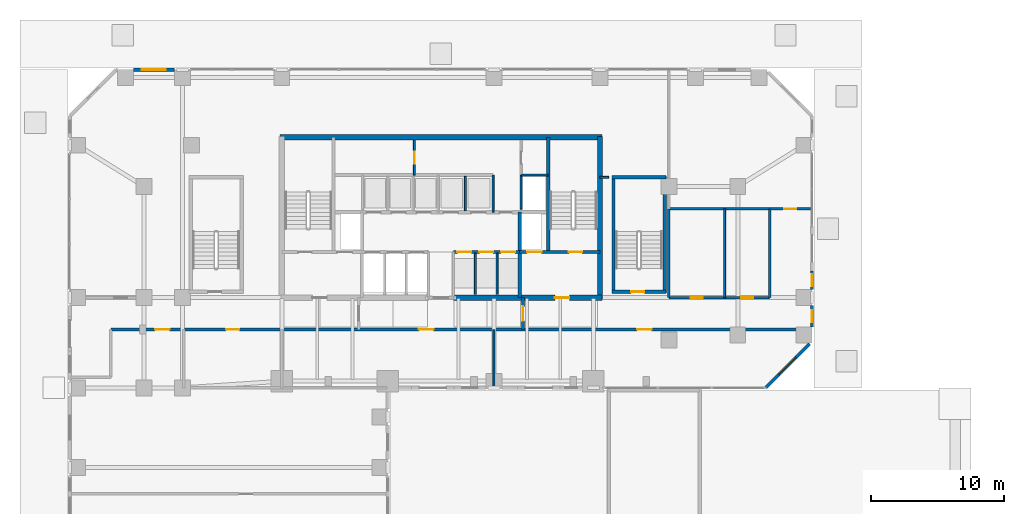
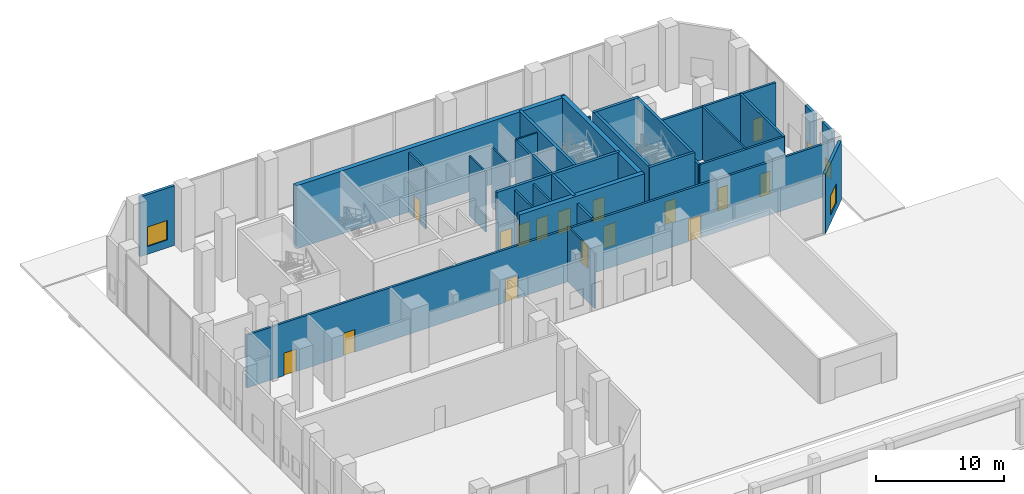
# One storey, part 19 of 26: 31 walls, 16 doors, 4 windows, 20 openings.
"""IFC4 building model written with IfcOpenShell, lengths in metres."""

from ifc_helpers import new_model, si_unit, direction, frame, frame_2d, origin, place, context, subcontext, project, spatial, rectangle, extrude, material, layer, layer_set, type_object, element, fill, save


model = new_model("IFC4")

# Units and contexts
model_context = context("Model", 3, precision=1e-05, world=origin(), true_north=direction((0.0, 1.0)))
body_context = subcontext(model_context, "Body", "Model", "MODEL_VIEW")
ifc_project = project(units=[si_unit("LENGTHUNIT", "METRE"), si_unit("AREAUNIT", "SQUARE_METRE"), si_unit("VOLUMEUNIT", "CUBIC_METRE"), si_unit("PLANEANGLEUNIT", "RADIAN"), si_unit("MASSUNIT", "GRAM", prefix="KILO")], contexts=[model_context])

# Site, building, storey
site_placement = place(None, origin())
site = spatial("IfcSite", under=ifc_project, at=site_placement, CompositionType="ELEMENT")
building_placement = place(site_placement, origin())
building = spatial("IfcBuilding", under=site, at=building_placement, Name="Catumbela Crestline Tower", CompositionType="ELEMENT")
storey_placement = place(building_placement, origin())
storey = spatial("IfcBuildingStorey", under=building, at=storey_placement, Name="L00", CompositionType="ELEMENT", Elevation=0.0)

# Walls
ifc_material_1 = material(Name="Concrete C50/60", Category="concrete")
ifc_layer_1 = layer(ifc_material_1, 0.25, Name="Concrete C50/60")
ifc_layer_set_1 = layer_set([ifc_layer_1], Name="Concrete C50/60")
wall_type_1 = type_object("IfcWallType", Name="CW-250D", PredefinedType="SHEAR", material=ifc_layer_set_1)
wall_1_placement = place(storey_placement, frame((36.1, 34.25, 0.0), z_axis=(0.0, 0.0, 1.0), x_axis=(0.0, 1.0, 0.0)))
element("IfcWall", 1, at=wall_1_placement, inside=storey, type_object=wall_type_1, Name="L00 Structural Core Shear Wall EWEB", PredefinedType="SHEAR", context=body_context, shape_type="SweptSolid", body=[
    extrude(rectangle(XDim=8.65, YDim=0.25, at=frame_2d((4.325, 0.0))), origin(), (0.0, 0.0, 1.0), 6.0),
])
wall_2_placement = place(storey_placement, frame((33.95, 30.8, 0.0), z_axis=(0.0, 0.0, 1.0), x_axis=(0.0, 1.0, 0.0)))
element("IfcWall", 2, at=wall_2_placement, inside=storey, type_object=wall_type_1, Name="L00 Structural Core Shear Wall FFE", PredefinedType="SHEAR", context=body_context, shape_type="SweptSolid", body=[
    extrude(rectangle(XDim=6.45, YDim=0.25, at=frame_2d((3.225, 0.0))), origin(), (0.0, 0.0, 1.0), 6.0),
])

# Wall, openings, doors
wall_3_placement = place(storey_placement, frame((33.95, 34.25, 0.0), z_axis=(0.0, 0.0, 1.0), x_axis=(1.0, 0.0, 0.0)))
wall_3 = element("IfcWall", 3, at=wall_3_placement, inside=storey, type_object=wall_type_1, Name="L00 Structural Core Shear Wall ST2S", PredefinedType="SHEAR", context=body_context, shape_type="SweptSolid", body=[
    extrude(rectangle(XDim=6.05, YDim=0.25, at=frame_2d((3.025, 0.0))), origin(), (0.0, 0.0, 1.0), 6.0),
])
opening_1_placement = place(wall_3_placement, frame((3.7, 0.0, 0.0)))
opening_1 = element("IfcOpeningElement", 4, at=opening_1_placement, cuts=wall_3, Name="Opening DF9-100", PredefinedType="OPENING", context=body_context, shape_type="SweptSolid", body=[
    extrude(rectangle(XDim=1.0, YDim=2.15, at=frame_2d((0.5, 1.075))), frame((0.0, 0.135, 0.0), z_axis=(0.0, -1.0, 0.0), x_axis=(1.0, 0.0, 0.0)), (0.0, 0.0, 1.0), 0.27),
])
opening_2_placement = place(wall_3_placement, frame((0.55, 0.0, 0.0)))
opening_2 = element("IfcOpeningElement", 5, at=opening_2_placement, cuts=wall_3, Name="Opening LD-110", PredefinedType="OPENING", context=body_context, shape_type="SweptSolid", body=[
    extrude(rectangle(XDim=1.1, YDim=2.15, at=frame_2d((0.55, 1.075))), frame((0.0, 0.135, 0.0), z_axis=(0.0, -1.0, 0.0), x_axis=(1.0, 0.0, 0.0)), (0.0, 0.0, 1.0), 0.27),
])
ifc_material_2 = material(Name="Stainless steel EN 1.4401", Category="steel")
door_type_1 = type_object("IfcDoorType", Name="DF9-100", OperationType="NOTDEFINED", PredefinedType="DOOR", material=ifc_material_2)
door_1_placement = place(opening_1_placement, origin())
door_1 = element("IfcDoor", 6, at=door_1_placement, inside=storey, type_object=door_type_1, Name="L00 Interior Door DR-L00-ST02", OperationType="SINGLE_SWING_RIGHT", OverallHeight=2.15, OverallWidth=1.0, PredefinedType="DOOR", context=body_context, shape_type="SweptSolid", body=[
    extrude(rectangle(XDim=1.0, YDim=2.15, at=frame_2d((0.5, 1.075))), frame((0.0, 0.025, 0.0), z_axis=(0.0, -1.0, 0.0), x_axis=(1.0, 0.0, 0.0)), (0.0, 0.0, 1.0), 0.05),
])
fill(opening_1, door_1)
door_type_2 = type_object("IfcDoorType", Name="LD-110", OperationType="NOTDEFINED", PredefinedType="DOOR", material=ifc_material_2)
door_2_placement = place(opening_2_placement, origin())
door_2 = element("IfcDoor", 7, at=door_2_placement, inside=storey, type_object=door_type_2, Name="L00 Lift Landing Sliding Door FL-02", OperationType="DOUBLE_DOOR_SLIDING", OverallHeight=2.15, OverallWidth=1.1, PredefinedType="DOOR", context=body_context, shape_type="SweptSolid", body=[
    extrude(rectangle(XDim=1.1, YDim=2.15, at=frame_2d((0.55, 1.075))), frame((0.0, 0.025, 0.0), z_axis=(0.0, -1.0, 0.0), x_axis=(1.0, 0.0, 0.0)), (0.0, 0.0, 1.0), 0.05),
])
fill(opening_2, door_2)

wall_4_placement = place(storey_placement, frame((28.95, 34.25, 0.0), z_axis=(0.0, 0.0, 1.0), x_axis=(1.0, 0.0, 0.0)))
wall_4 = element("IfcWall", 8, at=wall_4_placement, inside=storey, type_object=wall_type_1, Name="L00 Structural Core Shear Wall LIFTS-E", PredefinedType="SHEAR", context=body_context, shape_type="SweptSolid", body=[
    extrude(rectangle(XDim=5.0, YDim=0.25, at=frame_2d((2.5, 0.0))), origin(), (0.0, 0.0, 1.0), 6.0),
])
opening_3_placement = place(wall_4_placement, frame((0.3, 0.0, 0.0)))
opening_3 = element("IfcOpeningElement", 9, at=opening_3_placement, cuts=wall_4, Name="Opening LD-105", PredefinedType="OPENING", context=body_context, shape_type="SweptSolid", body=[
    extrude(rectangle(XDim=1.05, YDim=2.15, at=frame_2d((0.525, 1.075))), frame((0.0, 0.135, 0.0), z_axis=(0.0, -1.0, 0.0), x_axis=(1.0, 0.0, 0.0)), (0.0, 0.0, 1.0), 0.27),
])
opening_4_placement = place(wall_4_placement, frame((1.95, 0.0, 0.0)))
opening_4 = element("IfcOpeningElement", 10, at=opening_4_placement, cuts=wall_4, Name="Opening LD-105", PredefinedType="OPENING", context=body_context, shape_type="SweptSolid", body=[
    extrude(rectangle(XDim=1.05, YDim=2.15, at=frame_2d((0.525, 1.075))), frame((0.0, 0.135, 0.0), z_axis=(0.0, -1.0, 0.0), x_axis=(1.0, 0.0, 0.0)), (0.0, 0.0, 1.0), 0.27),
])
opening_5_placement = place(wall_4_placement, frame((3.6, 0.0, 0.0)))
opening_5 = element("IfcOpeningElement", 11, at=opening_5_placement, cuts=wall_4, Name="Opening LD-105", PredefinedType="OPENING", context=body_context, shape_type="SweptSolid", body=[
    extrude(rectangle(XDim=1.05, YDim=2.15, at=frame_2d((0.525, 1.075))), frame((0.0, 0.135, 0.0), z_axis=(0.0, -1.0, 0.0), x_axis=(1.0, 0.0, 0.0)), (0.0, 0.0, 1.0), 0.27),
])
door_type_3 = type_object("IfcDoorType", Name="LD-105", OperationType="NOTDEFINED", PredefinedType="DOOR", material=ifc_material_2)
door_3_placement = place(opening_3_placement, origin())
door_3 = element("IfcDoor", 12, at=door_3_placement, inside=storey, type_object=door_type_3, Name="L00 Lift Landing Sliding Door PL-M1", OperationType="DOUBLE_DOOR_SLIDING", OverallHeight=2.15, OverallWidth=1.05, PredefinedType="DOOR", context=body_context, shape_type="SweptSolid", body=[
    extrude(rectangle(XDim=1.05, YDim=2.15, at=frame_2d((0.525, 1.075))), frame((0.0, 0.025, 0.0), z_axis=(0.0, -1.0, 0.0), x_axis=(1.0, 0.0, 0.0)), (0.0, 0.0, 1.0), 0.05),
])
fill(opening_3, door_3)
door_4_placement = place(opening_4_placement, origin())
door_4 = element("IfcDoor", 13, at=door_4_placement, inside=storey, type_object=door_type_3, Name="L00 Lift Landing Sliding Door PL-M2", OperationType="DOUBLE_DOOR_SLIDING", OverallHeight=2.15, OverallWidth=1.05, PredefinedType="DOOR", context=body_context, shape_type="SweptSolid", body=[
    extrude(rectangle(XDim=1.05, YDim=2.15, at=frame_2d((0.525, 1.075))), frame((0.0, 0.025, 0.0), z_axis=(0.0, -1.0, 0.0), x_axis=(1.0, 0.0, 0.0)), (0.0, 0.0, 1.0), 0.05),
])
fill(opening_4, door_4)
door_5_placement = place(opening_5_placement, origin())
door_5 = element("IfcDoor", 14, at=door_5_placement, inside=storey, type_object=door_type_3, Name="L00 Lift Landing Sliding Door PL-M3", OperationType="DOUBLE_DOOR_SLIDING", OverallHeight=2.15, OverallWidth=1.05, PredefinedType="DOOR", context=body_context, shape_type="SweptSolid", body=[
    extrude(rectangle(XDim=1.05, YDim=2.15, at=frame_2d((0.525, 1.075))), frame((0.0, 0.025, 0.0), z_axis=(0.0, -1.0, 0.0), x_axis=(1.0, 0.0, 0.0)), (0.0, 0.0, 1.0), 0.05),
])
fill(opening_5, door_5)

# Walls
for number, where, z_axis, x_axis, name in (
    (15, (41.02, 31.15, 0.0), (0.0, 0.0, 1.0), (0.0, 1.0, 0.0), "L00 Structural Core Shear Wall ST4W"),
    (16, (44.88, 31.15, 0.0), (0.0, 0.0, 1.0), (0.0, 1.0, 0.0), "L00 Structural Core Shear Wall ST4E"),
):
    element("IfcWall", number, at=place(storey_placement, frame(where, z_axis=z_axis, x_axis=x_axis)), inside=storey, type_object=wall_type_1, Name=name, PredefinedType="SHEAR", context=body_context, shape_type="SweptSolid", body=[
        extrude(rectangle(XDim=8.8, YDim=0.25, at=frame_2d((4.4, 0.0))), origin(), (0.0, 0.0, 1.0), 6.0),
    ])
wall_5_placement = place(storey_placement, frame((40.9, 39.88, 0.0), z_axis=(0.0, 0.0, 1.0), x_axis=(1.0, 0.0, 0.0)))
element("IfcWall", 17, at=wall_5_placement, inside=storey, type_object=wall_type_1, Name="L00 Structural Core Shear Wall ST4N", PredefinedType="SHEAR", context=body_context, shape_type="SweptSolid", body=[
    extrude(rectangle(XDim=4.1, YDim=0.25, at=frame_2d((2.05, 0.0))), origin(), (0.0, 0.0, 1.0), 6.0),
])

# Wall, opening, door
wall_6_placement = place(storey_placement, frame((40.9, 31.25, 0.0), z_axis=(0.0, 0.0, 1.0), x_axis=(1.0, 0.0, 0.0)))
wall_6 = element("IfcWall", 18, at=wall_6_placement, inside=storey, type_object=wall_type_1, Name="L00 Structural Core Shear Wall ST4S", PredefinedType="SHEAR", context=body_context, shape_type="SweptSolid", body=[
    extrude(rectangle(XDim=4.1, YDim=0.25, at=frame_2d((2.05, 0.0))), origin(), (0.0, 0.0, 1.0), 6.0),
])
opening_6_placement = place(wall_6_placement, frame((1.45, 0.0, 0.0)))
opening_6 = element("IfcOpeningElement", 19, at=opening_6_placement, cuts=wall_6, Name="Opening DF9-100", PredefinedType="OPENING", context=body_context, shape_type="SweptSolid", body=[
    extrude(rectangle(XDim=1.0, YDim=2.15, at=frame_2d((0.5, 1.075))), frame((0.0, 0.135, 0.0), z_axis=(0.0, -1.0, 0.0), x_axis=(1.0, 0.0, 0.0)), (0.0, 0.0, 1.0), 0.27),
])
door_6_placement = place(opening_6_placement, origin())
door_6 = element("IfcDoor", 20, at=door_6_placement, inside=storey, type_object=door_type_1, Name="L00 Interior Door DR-L00-ST04", OperationType="SINGLE_SWING_RIGHT", OverallHeight=2.15, OverallWidth=1.0, PredefinedType="DOOR", context=body_context, shape_type="SweptSolid", body=[
    extrude(rectangle(XDim=1.0, YDim=2.15, at=frame_2d((0.5, 1.075))), frame((0.0, 0.025, 0.0), z_axis=(0.0, -1.0, 0.0), x_axis=(1.0, 0.0, 0.0)), (0.0, 0.0, 1.0), 0.05),
])
fill(opening_6, door_6)

# Walls
ifc_material_3 = material(Name="Concrete C60/75", Category="concrete")
ifc_layer_2 = layer(ifc_material_3, 0.4, Name="Concrete C60/75")
ifc_layer_set_2 = layer_set([ifc_layer_2], Name="Concrete C60/75")
wall_type_2 = type_object("IfcWallType", Name="CW-400A", PredefinedType="SHEAR", material=ifc_layer_set_2)
wall_7_placement = place(storey_placement, frame((40.0, 30.65, 0.0), z_axis=(0.0, 0.0, 1.0), x_axis=(0.0, 1.0, 0.0)))
element("IfcWall", 21, at=wall_7_placement, inside=storey, type_object=wall_type_2, Name="L00 Structural Core Shear Wall E", PredefinedType="SHEAR", context=body_context, shape_type="SweptSolid", body=[
    extrude(rectangle(XDim=12.3, YDim=0.4, at=frame_2d((6.15, 0.0))), origin(), (0.0, 0.0, 1.0), 6.0),
])
wall_8_placement = place(storey_placement, frame((15.85, 42.9, 0.0), z_axis=(0.0, 0.0, 1.0), x_axis=(1.0, 0.0, 0.0)))
element("IfcWall", 22, at=wall_8_placement, inside=storey, type_object=wall_type_2, Name="L00 Structural Core Shear Wall N", PredefinedType="SHEAR", context=body_context, shape_type="SweptSolid", body=[
    extrude(rectangle(XDim=24.3, YDim=0.4, at=frame_2d((12.15, 0.0))), origin(), (0.0, 0.0, 1.0), 6.0),
])

# Wall, opening, door
wall_9_placement = place(storey_placement, frame((28.95, 30.8, 0.0), z_axis=(0.0, 0.0, 1.0), x_axis=(1.0, 0.0, 0.0)))
wall_9 = element("IfcWall", 23, at=wall_9_placement, inside=storey, type_object=wall_type_2, Name="L00 Structural Core Shear Wall SE", PredefinedType="SHEAR", context=body_context, shape_type="SweptSolid", body=[
    extrude(rectangle(XDim=11.2, YDim=0.4, at=frame_2d((5.6, 0.0))), origin(), (0.0, 0.0, 1.0), 6.0),
])
opening_7_placement = place(wall_9_placement, frame((7.65, 0.0, 0.0)))
opening_7 = element("IfcOpeningElement", 24, at=opening_7_placement, cuts=wall_9, Name="Opening DF9-110", PredefinedType="OPENING", context=body_context, shape_type="SweptSolid", body=[
    extrude(rectangle(XDim=1.1, YDim=2.15, at=frame_2d((0.55, 1.075))), frame((0.0, 0.21, 0.0), z_axis=(0.0, -1.0, 0.0), x_axis=(1.0, 0.0, 0.0)), (0.0, 0.0, 1.0), 0.42),
])
door_type_4 = type_object("IfcDoorType", Name="DF9-110", OperationType="NOTDEFINED", PredefinedType="DOOR", material=ifc_material_2)
door_7_placement = place(opening_7_placement, origin())
door_7 = element("IfcDoor", 25, at=door_7_placement, inside=storey, type_object=door_type_4, Name="L00 Interior Door DR-L00-FFE-S", OperationType="SINGLE_SWING_RIGHT", OverallHeight=2.15, OverallWidth=1.1, PredefinedType="DOOR", context=body_context, shape_type="SweptSolid", body=[
    extrude(rectangle(XDim=1.1, YDim=2.15, at=frame_2d((0.55, 1.075))), frame((0.0, 0.025, 0.0), z_axis=(0.0, -1.0, 0.0), x_axis=(1.0, 0.0, 0.0)), (0.0, 0.0, 1.0), 0.05),
])
fill(opening_7, door_7)

ifc_material_4 = material(Name="Acoustic gypsum and mineral-wool partition")
ifc_layer_3 = layer(ifc_material_4, 0.2, Name="Acoustic gypsum and mineral-wool partition")
ifc_layer_set_3 = layer_set([ifc_layer_3], Name="Acoustic gypsum and mineral-wool partition")
wall_type_3 = type_object("IfcWallType", Name="WC-200", PredefinedType="PARTITIONING", material=ifc_layer_set_3)
wall_10_placement = place(storey_placement, frame((34.2, 28.4, 0.0), z_axis=(0.0, 0.0, 1.0), x_axis=(0.0, 1.0, 0.0)))
wall_10 = element("IfcWall", 26, at=wall_10_placement, inside=storey, type_object=wall_type_3, Name="L00 Interior Partition PW-L00-EXE-SEP", PredefinedType="PARTITIONING", context=body_context, shape_type="SweptSolid", body=[
    extrude(rectangle(XDim=2.4, YDim=0.2, at=frame_2d((1.2, 0.0))), origin(), (0.0, 0.0, 1.0), 5.26),
])
opening_8_placement = place(wall_10_placement, frame((0.65, 0.0, 0.0)))
opening_8 = element("IfcOpeningElement", 27, at=opening_8_placement, cuts=wall_10, Name="Opening DF9-110", PredefinedType="OPENING", context=body_context, shape_type="SweptSolid", body=[
    extrude(rectangle(XDim=1.1, YDim=2.15, at=frame_2d((0.55, 1.075))), frame((0.0, 0.11, 0.0), z_axis=(0.0, -1.0, 0.0), x_axis=(1.0, 0.0, 0.0)), (0.0, 0.0, 1.0), 0.22),
])
door_8_placement = place(opening_8_placement, origin())
door_8 = element("IfcDoor", 28, at=door_8_placement, inside=storey, type_object=door_type_4, Name="L00 Interior Door DR-L00-EXE-SEP", OperationType="SINGLE_SWING_RIGHT", OverallHeight=2.15, OverallWidth=1.1, PredefinedType="DOOR", context=body_context, shape_type="SweptSolid", body=[
    extrude(rectangle(XDim=1.1, YDim=2.15, at=frame_2d((0.55, 1.075))), frame((0.0, 0.025, 0.0), z_axis=(0.0, -1.0, 0.0), x_axis=(1.0, 0.0, 0.0)), (0.0, 0.0, 1.0), 0.05),
])
fill(opening_8, door_8)

# Wall
wall_11_placement = place(storey_placement, frame((52.8, 30.8, 0.0), z_axis=(0.0, 0.0, 1.0), x_axis=(0.0, 1.0, 0.0)))
element("IfcWall", 29, at=wall_11_placement, inside=storey, type_object=wall_type_3, Name="L00 Interior Partition PW-L00-EXEV-W", PredefinedType="PARTITIONING", context=body_context, shape_type="SweptSolid", body=[
    extrude(rectangle(XDim=6.7, YDim=0.2, at=frame_2d((3.35, 0.0))), origin(), (0.0, 0.0, 1.0), 5.02),
])

# Wall, openings, doors
wall_12_placement = place(storey_placement, frame((45.2, 30.8, 0.0), z_axis=(0.0, 0.0, 1.0), x_axis=(1.0, 0.0, 0.0)))
wall_12 = element("IfcWall", 30, at=wall_12_placement, inside=storey, type_object=wall_type_3, Name="L00 Interior Partition PW-L00-WC1", PredefinedType="PARTITIONING", context=body_context, shape_type="SweptSolid", body=[
    extrude(rectangle(XDim=7.6, YDim=0.2, at=frame_2d((3.8, 0.0))), origin(), (0.0, 0.0, 1.0), 5.02),
])
opening_9_placement = place(wall_12_placement, frame((1.65, 0.0, 0.0)))
opening_9 = element("IfcOpeningElement", 31, at=opening_9_placement, cuts=wall_12, Name="Opening DF9-090", PredefinedType="OPENING", context=body_context, shape_type="SweptSolid", body=[
    extrude(rectangle(XDim=0.9, YDim=2.15, at=frame_2d((0.45, 1.075))), frame((0.0, 0.11, 0.0), z_axis=(0.0, -1.0, 0.0), x_axis=(1.0, 0.0, 0.0)), (0.0, 0.0, 1.0), 0.22),
])
opening_10_placement = place(wall_12_placement, frame((5.45, 0.0, 0.0)))
opening_10 = element("IfcOpeningElement", 32, at=opening_10_placement, cuts=wall_12, Name="Opening DF9-090", PredefinedType="OPENING", context=body_context, shape_type="SweptSolid", body=[
    extrude(rectangle(XDim=0.9, YDim=2.15, at=frame_2d((0.45, 1.075))), frame((0.0, 0.11, 0.0), z_axis=(0.0, -1.0, 0.0), x_axis=(1.0, 0.0, 0.0)), (0.0, 0.0, 1.0), 0.22),
])
door_type_5 = type_object("IfcDoorType", Name="DF9-090", OperationType="NOTDEFINED", PredefinedType="DOOR", material=ifc_material_2)
door_9_placement = place(opening_9_placement, origin())
door_9 = element("IfcDoor", 33, at=door_9_placement, inside=storey, type_object=door_type_5, Name="L00 Interior Door DR-L00-WC1", OperationType="SINGLE_SWING_LEFT", OverallHeight=2.15, OverallWidth=0.9, PredefinedType="DOOR", context=body_context, shape_type="SweptSolid", body=[
    extrude(rectangle(XDim=0.9, YDim=2.15, at=frame_2d((0.45, 1.075))), frame((0.0, 0.025, 0.0), z_axis=(0.0, -1.0, 0.0), x_axis=(1.0, 0.0, 0.0)), (0.0, 0.0, 1.0), 0.05),
])
fill(opening_9, door_9)
door_10_placement = place(opening_10_placement, origin())
door_10 = element("IfcDoor", 34, at=door_10_placement, inside=storey, type_object=door_type_5, Name="L00 Interior Door DR-L00-AWC", OperationType="SINGLE_SWING_RIGHT", OverallHeight=2.15, OverallWidth=0.9, PredefinedType="DOOR", context=body_context, shape_type="SweptSolid", body=[
    extrude(rectangle(XDim=0.9, YDim=2.15, at=frame_2d((0.45, 1.075))), frame((0.0, 0.025, 0.0), z_axis=(0.0, -1.0, 0.0), x_axis=(1.0, 0.0, 0.0)), (0.0, 0.0, 1.0), 0.05),
])
fill(opening_10, door_10)

# Wall
wall_13_placement = place(storey_placement, frame((45.2, 30.8, 0.0), z_axis=(0.0, 0.0, 1.0), x_axis=(0.0, 1.0, 0.0)))
element("IfcWall", 35, at=wall_13_placement, inside=storey, type_object=wall_type_3, Name="L00 Interior Partition PW-L00-WCW", PredefinedType="PARTITIONING", context=body_context, shape_type="SweptSolid", body=[
    extrude(rectangle(XDim=6.7, YDim=0.2, at=frame_2d((3.35, 0.0))), origin(), (0.0, 0.0, 1.0), 5.02),
])

# Wall, opening, door
wall_14_placement = place(storey_placement, frame((45.2, 37.5, 0.0), z_axis=(0.0, 0.0, 1.0), x_axis=(1.0, 0.0, 0.0)))
wall_14 = element("IfcWall", 36, at=wall_14_placement, inside=storey, type_object=wall_type_3, Name="L00 Interior Partition PW-L00-WCN", PredefinedType="PARTITIONING", context=body_context, shape_type="SweptSolid", body=[
    extrude(rectangle(XDim=10.7, YDim=0.2, at=frame_2d((5.35, 0.0))), origin(), (0.0, 0.0, 1.0), 5.02),
])
opening_11_placement = place(wall_14_placement, frame((8.7, 0.0, 0.0)))
opening_11 = element("IfcOpeningElement", 37, at=opening_11_placement, cuts=wall_14, Name="Opening DF9-090", PredefinedType="OPENING", context=body_context, shape_type="SweptSolid", body=[
    extrude(rectangle(XDim=0.9, YDim=2.15, at=frame_2d((0.45, 1.075))), frame((0.0, 0.11, 0.0), z_axis=(0.0, -1.0, 0.0), x_axis=(1.0, 0.0, 0.0)), (0.0, 0.0, 1.0), 0.22),
])
door_11_placement = place(opening_11_placement, origin())
door_11 = element("IfcDoor", 38, at=door_11_placement, inside=storey, type_object=door_type_5, Name="L00 Interior Door DR-L00-NEE", OperationType="SINGLE_SWING_LEFT", OverallHeight=2.15, OverallWidth=0.9, PredefinedType="DOOR", context=body_context, shape_type="SweptSolid", body=[
    extrude(rectangle(XDim=0.9, YDim=2.15, at=frame_2d((0.45, 1.075))), frame((0.0, 0.025, 0.0), z_axis=(0.0, -1.0, 0.0), x_axis=(1.0, 0.0, 0.0)), (0.0, 0.0, 1.0), 0.05),
])
fill(opening_11, door_11)

# Wall, openings, doors
wall_15_placement = place(storey_placement, frame((3.1, 28.4, 0.0), z_axis=(0.0, 0.0, 1.0), x_axis=(1.0, 0.0, 0.0)))
wall_15 = element("IfcWall", 39, at=wall_15_placement, inside=storey, type_object=wall_type_3, Name="L00 Interior Partition PW-L00-FCC-N", PredefinedType="PARTITIONING", context=body_context, shape_type="SweptSolid", body=[
    extrude(rectangle(XDim=52.8, YDim=0.2, at=frame_2d((26.4, 0.0))), origin(), (0.0, 0.0, 1.0), 5.02),
])
opening_12_placement = place(wall_15_placement, frame((8.7, 0.0, 0.0)))
opening_12 = element("IfcOpeningElement", 40, at=opening_12_placement, cuts=wall_15, Name="Opening DF9-100", PredefinedType="OPENING", context=body_context, shape_type="SweptSolid", body=[
    extrude(rectangle(XDim=1.0, YDim=2.15, at=frame_2d((0.5, 1.075))), frame((0.0, 0.11, 0.0), z_axis=(0.0, -1.0, 0.0), x_axis=(1.0, 0.0, 0.0)), (0.0, 0.0, 1.0), 0.22),
])
opening_13_placement = place(wall_15_placement, frame((23.25, 0.0, 0.0)))
opening_13 = element("IfcOpeningElement", 41, at=opening_13_placement, cuts=wall_15, Name="Opening DF9-110", PredefinedType="OPENING", context=body_context, shape_type="SweptSolid", body=[
    extrude(rectangle(XDim=1.1, YDim=2.15, at=frame_2d((0.55, 1.075))), frame((0.0, 0.11, 0.0), z_axis=(0.0, -1.0, 0.0), x_axis=(1.0, 0.0, 0.0)), (0.0, 0.0, 1.0), 0.22),
])
opening_14_placement = place(wall_15_placement, frame((39.7018, 0.0, 0.0)))
opening_14 = element("IfcOpeningElement", 42, at=opening_14_placement, cuts=wall_15, Name="Opening DF9-110", PredefinedType="OPENING", context=body_context, shape_type="SweptSolid", body=[
    extrude(rectangle(XDim=1.1, YDim=2.15, at=frame_2d((0.55, 1.075))), frame((0.0, 0.11, 0.0), z_axis=(0.0, -1.0, 0.0), x_axis=(1.0, 0.0, 0.0)), (0.0, 0.0, 1.0), 0.22),
])
opening_15_placement = place(wall_15_placement, frame((3.34, 0.0, 0.0)))
opening_15 = element("IfcOpeningElement", 43, at=opening_15_placement, cuts=wall_15, Name="Opening DF9-110", PredefinedType="OPENING", context=body_context, shape_type="SweptSolid", body=[
    extrude(rectangle(XDim=1.1, YDim=2.15, at=frame_2d((0.55, 1.075))), frame((0.0, 0.11, 0.0), z_axis=(0.0, -1.0, 0.0), x_axis=(1.0, 0.0, 0.0)), (0.0, 0.0, 1.0), 0.22),
])
door_12_placement = place(opening_12_placement, origin())
door_12 = element("IfcDoor", 44, at=door_12_placement, inside=storey, type_object=door_type_1, Name="L00 Interior Door DR-L00-FCC", OperationType="SINGLE_SWING_LEFT", OverallHeight=2.15, OverallWidth=1.0, PredefinedType="DOOR", context=body_context, shape_type="SweptSolid", body=[
    extrude(rectangle(XDim=1.0, YDim=2.15, at=frame_2d((0.5, 1.075))), frame((0.0, 0.025, 0.0), z_axis=(0.0, -1.0, 0.0), x_axis=(1.0, 0.0, 0.0)), (0.0, 0.0, 1.0), 0.05),
])
fill(opening_12, door_12)
door_13_placement = place(opening_13_placement, origin())
door_13 = element("IfcDoor", 45, at=door_13_placement, inside=storey, type_object=door_type_4, Name="L00 Interior Door DR-L00-HLB", OperationType="SINGLE_SWING_LEFT", OverallHeight=2.15, OverallWidth=1.1, PredefinedType="DOOR", context=body_context, shape_type="SweptSolid", body=[
    extrude(rectangle(XDim=1.1, YDim=2.15, at=frame_2d((0.55, 1.075))), frame((0.0, 0.025, 0.0), z_axis=(0.0, -1.0, 0.0), x_axis=(1.0, 0.0, 0.0)), (0.0, 0.0, 1.0), 0.05),
])
fill(opening_13, door_13)
door_14_placement = place(opening_14_placement, origin())
door_14 = element("IfcDoor", 46, at=door_14_placement, inside=storey, type_object=door_type_4, Name="L00 Interior Door DR-L00-RLB", OperationType="SINGLE_SWING_RIGHT", OverallHeight=2.15, OverallWidth=1.1, PredefinedType="DOOR", context=body_context, shape_type="SweptSolid", body=[
    extrude(rectangle(XDim=1.1, YDim=2.15, at=frame_2d((0.55, 1.075))), frame((0.0, 0.025, 0.0), z_axis=(0.0, -1.0, 0.0), x_axis=(1.0, 0.0, 0.0)), (0.0, 0.0, 1.0), 0.05),
])
fill(opening_14, door_14)
door_15_placement = place(opening_15_placement, origin())
door_15 = element("IfcDoor", 47, at=door_15_placement, inside=storey, type_object=door_type_4, Name="L00 Interior Door DR-L00-RET2", OperationType="SINGLE_SWING_LEFT", OverallHeight=2.15, OverallWidth=1.1, PredefinedType="DOOR", context=body_context, shape_type="SweptSolid", body=[
    extrude(rectangle(XDim=1.1, YDim=2.15, at=frame_2d((0.55, 1.075))), frame((0.0, 0.025, 0.0), z_axis=(0.0, -1.0, 0.0), x_axis=(1.0, 0.0, 0.0)), (0.0, 0.0, 1.0), 0.05),
])
fill(opening_15, door_15)

# Wall, opening, window
ifc_material_5 = material(Name="Angolan grey-ochre granite", Category="masonry")
ifc_layer_4 = layer(ifc_material_5, 0.25, Name="Angolan grey-ochre granite")
ifc_layer_set_4 = layer_set([ifc_layer_4], Name="Angolan grey-ochre granite")
wall_type_4 = type_object("IfcWallType", Name="WE-250", PredefinedType="STANDARD", material=ifc_layer_set_4)
wall_16_placement = place(storey_placement, frame((52.5, 24.0, 0.0), z_axis=(0.0, 0.0, 1.0), x_axis=(0.707106781187, 0.707106781187, 0.0)))
wall_16 = element("IfcWall", 48, at=wall_16_placement, inside=storey, type_object=wall_type_4, Name="L00 Granite Punched Window Wall 4-1", PredefinedType="STANDARD", context=body_context, shape_type="SweptSolid", body=[
    extrude(rectangle(XDim=4.6833, YDim=0.25, at=frame_2d((2.3416, 0.0))), origin(), (0.0, 0.0, 1.0), 5.67),
])
opening_16_placement = place(wall_16_placement, frame((1.4417, 0.0, 0.75)))
opening_16 = element("IfcOpeningElement", 49, at=opening_16_placement, cuts=wall_16, Name="Opening WN-01", PredefinedType="OPENING", context=body_context, shape_type="SweptSolid", body=[
    extrude(rectangle(XDim=1.8, YDim=1.85, at=frame_2d((0.9, 0.925))), frame((0.0, 0.135, 0.0), z_axis=(0.0, -1.0, 0.0), x_axis=(1.0, 0.0, 0.0)), (0.0, 0.0, 1.0), 0.27),
])
ifc_material_6 = material(Name="Low-E laminated solar-control double glazing", Category="glass")
window_type_1 = type_object("IfcWindowType", Name="WF-1800", PartitioningType="SINGLE_PANEL", PredefinedType="WINDOW", material=ifc_material_6)
window_1_placement = place(opening_16_placement, origin())
window_1 = element("IfcWindow", 50, at=window_1_placement, inside=storey, type_object=window_type_1, Name="L00 Facade Vision Window 11", OverallHeight=1.85, OverallWidth=1.8, PartitioningType="SINGLE_PANEL", PredefinedType="WINDOW", context=body_context, shape_type="SweptSolid", body=[
    extrude(rectangle(XDim=1.8, YDim=1.85, at=frame_2d((0.9, 0.925))), frame((0.0, 0.03, 0.0), z_axis=(0.0, -1.0, 0.0), x_axis=(1.0, 0.0, 0.0)), (0.0, 0.0, 1.0), 0.06),
])
fill(opening_16, window_1)

wall_17_placement = place(storey_placement, frame((56.0, 28.6, 0.0), z_axis=(0.0, 0.0, 1.0), x_axis=(0.0, 1.0, 0.0)))
wall_17 = element("IfcWall", 51, at=wall_17_placement, inside=storey, type_object=wall_type_4, Name="L00 Granite Punched Window Wall 5-1", PredefinedType="STANDARD", context=body_context, shape_type="SweptSolid", body=[
    extrude(rectangle(XDim=1.6, YDim=0.25, at=frame_2d((0.8, 0.0))), origin(), (0.0, 0.0, 1.0), 5.67),
])
opening_17_placement = place(wall_17_placement, frame((0.35, 0.0, 0.9)))
opening_17 = element("IfcOpeningElement", 52, at=opening_17_placement, cuts=wall_17, Name="Opening WN-03", PredefinedType="OPENING", context=body_context, shape_type="SweptSolid", body=[
    extrude(rectangle(XDim=0.9, YDim=1.55, at=frame_2d((0.45, 0.775))), frame((0.0, 0.135, 0.0), z_axis=(0.0, -1.0, 0.0), x_axis=(1.0, 0.0, 0.0)), (0.0, 0.0, 1.0), 0.27),
])
window_type_2 = type_object("IfcWindowType", Name="WO-0900", PartitioningType="SINGLE_PANEL", PredefinedType="WINDOW", material=ifc_material_6)
window_2_placement = place(opening_17_placement, origin())
window_2 = element("IfcWindow", 53, at=window_2_placement, inside=storey, type_object=window_type_2, Name="L00 Facade Vision Window 12", OverallHeight=1.55, OverallWidth=0.9, PartitioningType="SINGLE_PANEL", PredefinedType="WINDOW", context=body_context, shape_type="SweptSolid", body=[
    extrude(rectangle(XDim=0.9, YDim=1.55, at=frame_2d((0.45, 0.775))), frame((0.0, 0.03, 0.0), z_axis=(0.0, -1.0, 0.0), x_axis=(1.0, 0.0, 0.0)), (0.0, 0.0, 1.0), 0.06),
])
fill(opening_17, window_2)

wall_18_placement = place(storey_placement, frame((56.0, 31.4, 0.0), z_axis=(0.0, 0.0, 1.0), x_axis=(0.0, 1.0, 0.0)))
wall_18 = element("IfcWall", 54, at=wall_18_placement, inside=storey, type_object=wall_type_4, Name="L00 Granite Punched Window Wall 5-2", PredefinedType="STANDARD", context=body_context, shape_type="SweptSolid", body=[
    extrude(rectangle(XDim=1.4, YDim=0.25, at=frame_2d((0.7, 0.0))), origin(), (0.0, 0.0, 1.0), 5.67),
])
opening_18_placement = place(wall_18_placement, frame((0.25, 0.0, 0.9)))
opening_18 = element("IfcOpeningElement", 55, at=opening_18_placement, cuts=wall_18, Name="Opening WN-03", PredefinedType="OPENING", context=body_context, shape_type="SweptSolid", body=[
    extrude(rectangle(XDim=0.9, YDim=1.55, at=frame_2d((0.45, 0.775))), frame((0.0, 0.135, 0.0), z_axis=(0.0, -1.0, 0.0), x_axis=(1.0, 0.0, 0.0)), (0.0, 0.0, 1.0), 0.27),
])
window_3_placement = place(opening_18_placement, origin())
window_3 = element("IfcWindow", 56, at=window_3_placement, inside=storey, type_object=window_type_2, Name="L00 Facade Vision Window 13", OverallHeight=1.55, OverallWidth=0.9, PartitioningType="SINGLE_PANEL", PredefinedType="WINDOW", context=body_context, shape_type="SweptSolid", body=[
    extrude(rectangle(XDim=0.9, YDim=1.55, at=frame_2d((0.45, 0.775))), frame((0.0, 0.03, 0.0), z_axis=(0.0, -1.0, 0.0), x_axis=(1.0, 0.0, 0.0)), (0.0, 0.0, 1.0), 0.06),
])
fill(opening_18, window_3)

wall_19_placement = place(storey_placement, frame((7.9, 48.0, 0.0), z_axis=(0.0, 0.0, 1.0), x_axis=(-1.0, 0.0, 0.0)))
wall_19 = element("IfcWall", 57, at=wall_19_placement, inside=storey, type_object=wall_type_4, Name="L00 Granite Punched Window Wall 7-6", PredefinedType="STANDARD", context=body_context, shape_type="SweptSolid", body=[
    extrude(rectangle(XDim=3.1, YDim=0.25, at=frame_2d((1.55, 0.0))), origin(), (0.0, 0.0, 1.0), 5.67),
])
opening_19_placement = place(wall_19_placement, frame((0.65, 0.0, 0.75)))
opening_19 = element("IfcOpeningElement", 58, at=opening_19_placement, cuts=wall_19, Name="Opening WN-01", PredefinedType="OPENING", context=body_context, shape_type="SweptSolid", body=[
    extrude(rectangle(XDim=1.8, YDim=1.85, at=frame_2d((0.9, 0.925))), frame((0.0, 0.135, 0.0), z_axis=(0.0, -1.0, 0.0), x_axis=(1.0, 0.0, 0.0)), (0.0, 0.0, 1.0), 0.27),
])
window_4_placement = place(opening_19_placement, origin())
window_4 = element("IfcWindow", 59, at=window_4_placement, inside=storey, type_object=window_type_1, Name="L00 Facade Vision Window 17", OverallHeight=1.85, OverallWidth=1.8, PartitioningType="SINGLE_PANEL", PredefinedType="WINDOW", context=body_context, shape_type="SweptSolid", body=[
    extrude(rectangle(XDim=1.8, YDim=1.85, at=frame_2d((0.9, 0.925))), frame((0.0, 0.03, 0.0), z_axis=(0.0, -1.0, 0.0), x_axis=(1.0, 0.0, 0.0)), (0.0, 0.0, 1.0), 0.06),
])
fill(opening_19, window_4)

# Wall
ifc_layer_5 = layer(ifc_material_4, 0.15, Name="Acoustic gypsum and mineral-wool partition")
ifc_layer_set_5 = layer_set([ifc_layer_5], Name="Acoustic gypsum and mineral-wool partition")
wall_type_5 = type_object("IfcWallType", Name="WP-150", PredefinedType="PARTITIONING", material=ifc_layer_set_5)
wall_20_placement = place(storey_placement, frame((34.05, 40.05, 0.0), z_axis=(0.0, 0.0, 1.0), x_axis=(1.0, 0.0, 0.0)))
element("IfcWall", 60, at=wall_20_placement, inside=storey, type_object=wall_type_5, Name="L00 Interior Partition PW-L00-CR-ES", PredefinedType="PARTITIONING", context=body_context, shape_type="SweptSolid", body=[
    extrude(rectangle(XDim=2.05, YDim=0.15, at=frame_2d((1.025, 0.0))), origin(), (0.0, 0.0, 1.0), 5.67),
])

# Wall, opening, door
wall_21_placement = place(storey_placement, frame((26.0, 40.05, 0.0), z_axis=(0.0, 0.0, 1.0), x_axis=(0.0, 1.0, 0.0)))
wall_21 = element("IfcWall", 61, at=wall_21_placement, inside=storey, type_object=wall_type_5, Name="L00 Interior Partition PW-L00-CR-WW", PredefinedType="PARTITIONING", context=body_context, shape_type="SweptSolid", body=[
    extrude(rectangle(XDim=2.63, YDim=0.15, at=frame_2d((1.315, 0.0))), origin(), (0.0, 0.0, 1.0), 5.67),
])
opening_20_placement = place(wall_21_placement, frame((0.865, 0.0, 0.0)))
opening_20 = element("IfcOpeningElement", 62, at=opening_20_placement, cuts=wall_21, Name="Opening DF9-090", PredefinedType="OPENING", context=body_context, shape_type="SweptSolid", body=[
    extrude(rectangle(XDim=0.9, YDim=2.15, at=frame_2d((0.45, 1.075))), frame((0.0, 0.085, 0.0), z_axis=(0.0, -1.0, 0.0), x_axis=(1.0, 0.0, 0.0)), (0.0, 0.0, 1.0), 0.17),
])
door_16_placement = place(opening_20_placement, origin())
door_16 = element("IfcDoor", 63, at=door_16_placement, inside=storey, type_object=door_type_5, Name="L00 Interior Door DR-L00-CRWEST", OperationType="SINGLE_SWING_LEFT", OverallHeight=2.15, OverallWidth=0.9, PredefinedType="DOOR", context=body_context, shape_type="SweptSolid", body=[
    extrude(rectangle(XDim=0.9, YDim=2.15, at=frame_2d((0.45, 1.075))), frame((0.0, 0.025, 0.0), z_axis=(0.0, -1.0, 0.0), x_axis=(1.0, 0.0, 0.0)), (0.0, 0.0, 1.0), 0.05),
])
fill(opening_20, door_16)

# Walls
wall_22_placement = place(storey_placement, frame((49.4, 30.8, 0.0), z_axis=(0.0, 0.0, 1.0), x_axis=(0.0, 1.0, 0.0)))
element("IfcWall", 64, at=wall_22_placement, inside=storey, type_object=wall_type_5, Name="L00 Interior Partition PW-L00-WCM", PredefinedType="PARTITIONING", context=body_context, shape_type="SweptSolid", body=[
    extrude(rectangle(XDim=6.7, YDim=0.15, at=frame_2d((3.35, 0.0))), origin(), (0.0, 0.0, 1.0), 5.02),
])
wall_23_placement = place(storey_placement, frame((40.0, 39.88, 0.0), z_axis=(0.0, 0.0, 1.0), x_axis=(1.0, 0.0, 0.0)))
element("IfcWall", 65, at=wall_23_placement, inside=storey, type_object=wall_type_5, Name="L00 Interior Partition PW-L00-NECR", PredefinedType="PARTITIONING", context=body_context, shape_type="SweptSolid", body=[
    extrude(rectangle(XDim=0.655, YDim=0.15, at=frame_2d((0.3275, 0.0))), origin(), (0.0, 0.0, 1.0), 5.67),
])
wall_24_placement = place(storey_placement, frame((32.0, 24.1, 0.0), z_axis=(0.0, 0.0, 1.0), x_axis=(0.0, 1.0, 0.0)))
element("IfcWall", 66, at=wall_24_placement, inside=storey, type_object=wall_type_5, Name="L00 Interior Partition PW-L00-HLBE", PredefinedType="PARTITIONING", context=body_context, shape_type="SweptSolid", body=[
    extrude(rectangle(XDim=4.3, YDim=0.15, at=frame_2d((2.15, 0.0))), origin(), (0.0, 0.0, 1.0), 5.21),
])
ifc_layer_6 = layer(ifc_material_4, 0.15, Name="Acoustic gypsum and mineral-wool partition")
ifc_layer_set_6 = layer_set([ifc_layer_6], Name="Acoustic gypsum and mineral-wool partition")
wall_type_6 = type_object("IfcWallType", Name="WS-150", PredefinedType="PLUMBINGWALL", material=ifc_layer_set_6)
for number, where, z_axis, x_axis, name in (
    (67, (30.6, 31.05, 0.0), (0.0, 0.0, 1.0), (0.0, 1.0, 0.0), "L00 Interior Partition PW-L00-SHM1"),
    (68, (32.25, 31.05, 0.0), (0.0, 0.0, 1.0), (0.0, 1.0, 0.0), "L00 Interior Partition PW-L00-SHM2"),
):
    element("IfcWall", number, at=place(storey_placement, frame(where, z_axis=z_axis, x_axis=x_axis)), inside=storey, type_object=wall_type_6, Name=name, PredefinedType="PLUMBINGWALL", context=body_context, shape_type="SweptSolid", body=[
        extrude(rectangle(XDim=3.1, YDim=0.15, at=frame_2d((1.55, 0.0))), origin(), (0.0, 0.0, 1.0), 5.67),
    ])
wall_25_placement = place(storey_placement, frame((31.95, 37.25, 0.0), z_axis=(0.0, 0.0, 1.0), x_axis=(0.0, 1.0, 0.0)))
element("IfcWall", 69, at=wall_25_placement, inside=storey, type_object=wall_type_6, Name="L00 Interior Partition PW-L00-SHEX2E", PredefinedType="PLUMBINGWALL", context=body_context, shape_type="SweptSolid", body=[
    extrude(rectangle(XDim=2.8, YDim=0.15, at=frame_2d((1.4, 0.0))), origin(), (0.0, 0.0, 1.0), 5.67),
])
wall_26_placement = place(storey_placement, frame((29.85, 37.35, 0.0), z_axis=(0.0, 0.0, 1.0), x_axis=(0.0, 1.0, 0.0)))
element("IfcWall", 70, at=wall_26_placement, inside=storey, type_object=wall_type_6, Name="L00 Interior Partition PW-L00-SHEX1", PredefinedType="PLUMBINGWALL", context=body_context, shape_type="SweptSolid", body=[
    extrude(rectangle(XDim=2.6, YDim=0.15, at=frame_2d((1.3, 0.0))), origin(), (0.0, 0.0, 1.0), 5.67),
])
wall_27_placement = place(storey_placement, frame((34.05, 37.4734, 0.0), z_axis=(0.0, 0.0, 1.0), x_axis=(0.0, 1.0, 0.0)))
element("IfcWall", 71, at=wall_27_placement, inside=storey, type_object=wall_type_6, Name="L00 Interior Partition PW-L00-RISW", PredefinedType="PLUMBINGWALL", context=body_context, shape_type="SweptSolid", body=[
    extrude(rectangle(XDim=2.5766, YDim=0.15, at=frame_2d((1.2883, 0.0))), origin(), (0.0, 0.0, 1.0), 5.67),
])

save(model, "model.ifc")
